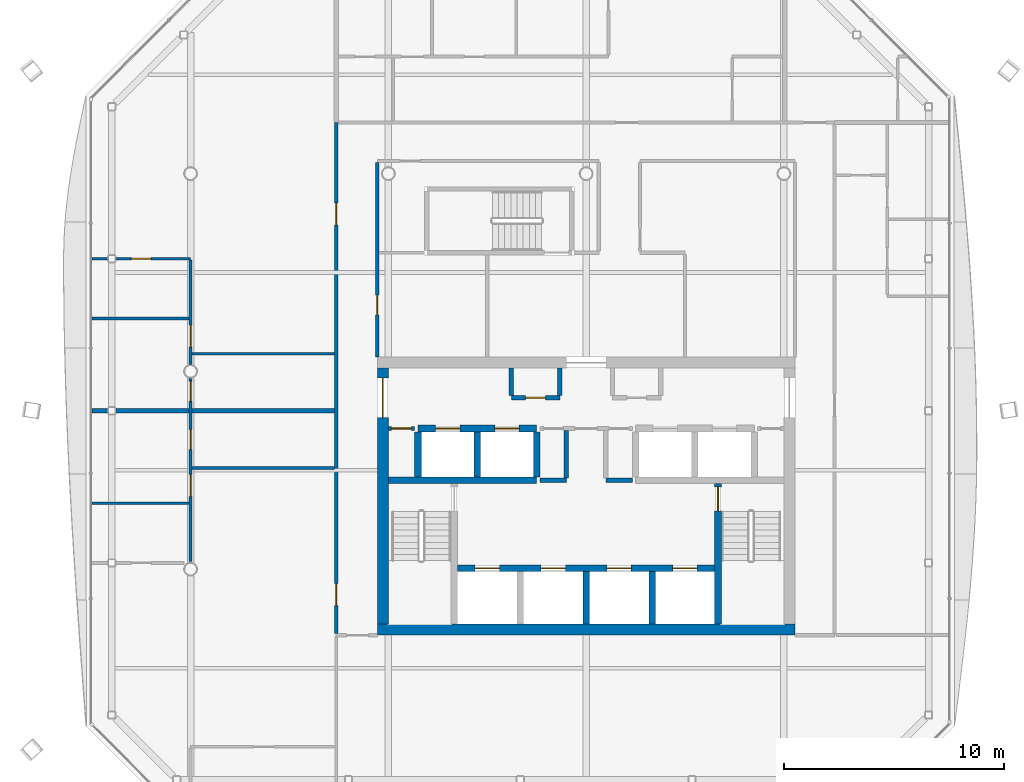
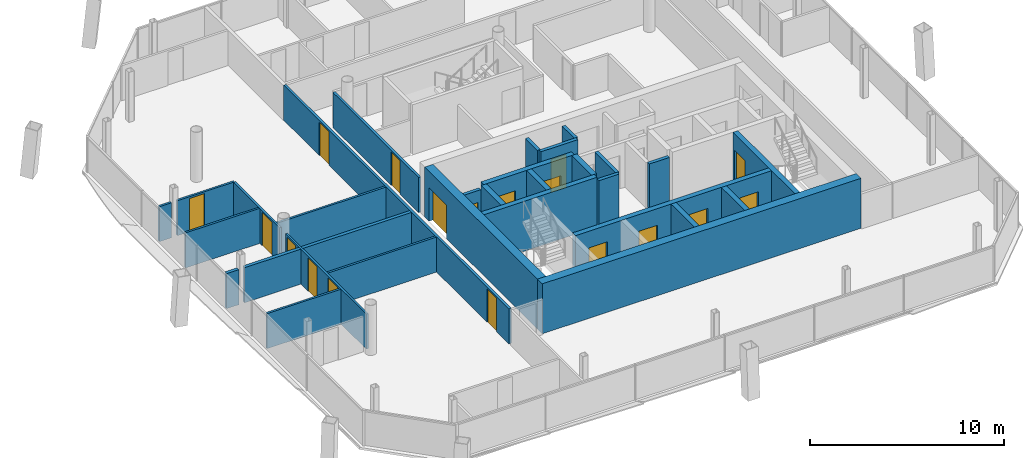
# One storey, part 12 of 19: 30 walls, 18 doors, 18 openings.
"""IFC4 building model written with IfcOpenShell, lengths in metres."""

from ifc_helpers import new_model, si_unit, direction, frame, frame_2d, origin, place, context, subcontext, project, spatial, rectangle, extrude, material, layer, layer_set, type_object, element, fill, save


model = new_model("IFC4")

# Units and contexts
model_context = context("Model", 3, precision=1e-05, world=origin(), true_north=direction((0.0, 1.0)))
body_context = subcontext(model_context, "Body", "Model", "MODEL_VIEW")
ifc_project = project(units=[si_unit("LENGTHUNIT", "METRE"), si_unit("AREAUNIT", "SQUARE_METRE"), si_unit("VOLUMEUNIT", "CUBIC_METRE"), si_unit("PLANEANGLEUNIT", "RADIAN"), si_unit("MASSUNIT", "GRAM", prefix="KILO")], contexts=[model_context])

# Site, building, storey
site_placement = place(None, origin())
site = spatial("IfcSite", under=ifc_project, at=site_placement, CompositionType="ELEMENT")
building_placement = place(site_placement, origin())
building = spatial("IfcBuilding", under=site, at=building_placement, Name="Tskaro Facet Tower", CompositionType="ELEMENT")
storey_placement = place(building_placement, frame((0.0, 0.0, 206.85009765625)))
storey = spatial("IfcBuildingStorey", under=building, at=storey_placement, Name="L53", CompositionType="ELEMENT", Elevation=206.85009765625)

# Wall, openings, doors
ifc_material_1 = material(Name="Concrete C60/75", Category="concrete")
ifc_layer_1 = layer(ifc_material_1, 0.300048828125, Name="Concrete C60/75")
ifc_layer_set_1 = layer_set([ifc_layer_1], Name="Concrete C60/75")
wall_type_1 = type_object("IfcWallType", Name="CORE-SHAFT", PredefinedType="SHEAR", material=ifc_layer_set_1)
wall_1_placement = place(storey_placement, frame((-5.85009765625, -8.949951171875, 0.0), z_axis=(0.0, 0.0, 1.0), x_axis=(1.0, 0.0, 0.0)))
wall_1 = element("IfcWall", 1, at=wall_1_placement, inside=storey, type_object=wall_type_1, Name="Shaft wall W005", PredefinedType="SHEAR", context=body_context, shape_type="SweptSolid", body=[
    extrude(rectangle(XDim=11.7001953125, YDim=0.300048828125, at=frame_2d((5.85009765625, 0.0))), origin(), (0.0, 0.0, 1.0), 3.14990234375),
])
opening_1_placement = place(wall_1_placement, frame((0.800048828125, 0.0, 0.0)))
opening_1 = element("IfcOpeningElement", 2, at=opening_1_placement, cuts=wall_1, Name="Opening LD-FF1", PredefinedType="OPENING", context=body_context, shape_type="SweptSolid", body=[
    extrude(rectangle(XDim=1.10009765625, YDim=2.10009765625, at=frame_2d((0.550048828125, 1.050048828125))), frame((0.0, 0.159912109375, 0.0), z_axis=(0.0, -1.0, 0.0), x_axis=(1.0, 0.0, 0.0)), (0.0, 0.0, 1.0), 0.320068359375),
])
opening_2_placement = place(wall_1_placement, frame((3.800048828125, 0.0, 0.0)))
opening_2 = element("IfcOpeningElement", 3, at=opening_2_placement, cuts=wall_1, Name="Opening LD-FF2", PredefinedType="OPENING", context=body_context, shape_type="SweptSolid", body=[
    extrude(rectangle(XDim=1.10009765625, YDim=2.10009765625, at=frame_2d((0.550048828125, 1.050048828125))), frame((0.0, 0.159912109375, 0.0), z_axis=(0.0, -1.0, 0.0), x_axis=(1.0, 0.0, 0.0)), (0.0, 0.0, 1.0), 0.320068359375),
])
opening_3_placement = place(wall_1_placement, frame((6.800048828125, 0.0, 0.0)))
opening_3 = element("IfcOpeningElement", 4, at=opening_3_placement, cuts=wall_1, Name="Opening LD-SV1", PredefinedType="OPENING", context=body_context, shape_type="SweptSolid", body=[
    extrude(rectangle(XDim=1.10009765625, YDim=2.10009765625, at=frame_2d((0.550048828125, 1.050048828125))), frame((0.0, 0.159912109375, 0.0), z_axis=(0.0, -1.0, 0.0), x_axis=(1.0, 0.0, 0.0)), (0.0, 0.0, 1.0), 0.320068359375),
])
opening_4_placement = place(wall_1_placement, frame((9.800048828125, 0.0, 0.0)))
opening_4 = element("IfcOpeningElement", 5, at=opening_4_placement, cuts=wall_1, Name="Opening LD-SV2", PredefinedType="OPENING", context=body_context, shape_type="SweptSolid", body=[
    extrude(rectangle(XDim=1.10009765625, YDim=2.10009765625, at=frame_2d((0.550048828125, 1.050048828125))), frame((0.0, 0.159912109375, 0.0), z_axis=(0.0, -1.0, 0.0), x_axis=(1.0, 0.0, 0.0)), (0.0, 0.0, 1.0), 0.320068359375),
])
ifc_material_2 = material(Name="Stainless steel", Category="steel")
door_type_1 = type_object("IfcDoorType", Name="D-LANDING", OperationType="NOTDEFINED", PredefinedType="DOOR", material=ifc_material_2)
door_1_placement = place(opening_1_placement, origin())
door_1 = element("IfcDoor", 6, at=door_1_placement, inside=storey, type_object=door_type_1, Name="Landing door FF1", OperationType="DOUBLE_DOOR_SLIDING", OverallHeight=2.10009765625, OverallWidth=1.10009765625, PredefinedType="DOOR", context=body_context, shape_type="SweptSolid", body=[
    extrude(rectangle(XDim=1.10009765625, YDim=2.10009765625, at=frame_2d((0.550048828125, 1.050048828125))), frame((0.0, 0.02490234375, 0.0), z_axis=(0.0, -1.0, 0.0), x_axis=(1.0, 0.0, 0.0)), (0.0, 0.0, 1.0), 0.050048828125),
])
fill(opening_1, door_1)
door_2_placement = place(opening_2_placement, origin())
door_2 = element("IfcDoor", 7, at=door_2_placement, inside=storey, type_object=door_type_1, Name="Landing door FF2", OperationType="DOUBLE_DOOR_SLIDING", OverallHeight=2.10009765625, OverallWidth=1.10009765625, PredefinedType="DOOR", context=body_context, shape_type="SweptSolid", body=[
    extrude(rectangle(XDim=1.10009765625, YDim=2.10009765625, at=frame_2d((0.550048828125, 1.050048828125))), frame((0.0, 0.02490234375, 0.0), z_axis=(0.0, -1.0, 0.0), x_axis=(1.0, 0.0, 0.0)), (0.0, 0.0, 1.0), 0.050048828125),
])
fill(opening_2, door_2)
door_3_placement = place(opening_3_placement, origin())
door_3 = element("IfcDoor", 8, at=door_3_placement, inside=storey, type_object=door_type_1, Name="Landing door SV1", OperationType="DOUBLE_DOOR_SLIDING", OverallHeight=2.10009765625, OverallWidth=1.10009765625, PredefinedType="DOOR", context=body_context, shape_type="SweptSolid", body=[
    extrude(rectangle(XDim=1.10009765625, YDim=2.10009765625, at=frame_2d((0.550048828125, 1.050048828125))), frame((0.0, 0.02490234375, 0.0), z_axis=(0.0, -1.0, 0.0), x_axis=(1.0, 0.0, 0.0)), (0.0, 0.0, 1.0), 0.050048828125),
])
fill(opening_3, door_3)
door_4_placement = place(opening_4_placement, origin())
door_4 = element("IfcDoor", 9, at=door_4_placement, inside=storey, type_object=door_type_1, Name="Landing door SV2", OperationType="DOUBLE_DOOR_SLIDING", OverallHeight=2.10009765625, OverallWidth=1.10009765625, PredefinedType="DOOR", context=body_context, shape_type="SweptSolid", body=[
    extrude(rectangle(XDim=1.10009765625, YDim=2.10009765625, at=frame_2d((0.550048828125, 1.050048828125))), frame((0.0, 0.02490234375, 0.0), z_axis=(0.0, -1.0, 0.0), x_axis=(1.0, 0.0, 0.0)), (0.0, 0.0, 1.0), 0.050048828125),
])
fill(opening_4, door_4)

# Wall
wall_2_placement = place(storey_placement, frame((-9.0, -4.949951171875, 0.0), z_axis=(0.0, 0.0, 1.0), x_axis=(1.0, 0.0, 0.0)))
element("IfcWall", 10, at=wall_2_placement, inside=storey, type_object=wall_type_1, Name="Shaft wall W009", PredefinedType="SHEAR", context=body_context, shape_type="SweptSolid", body=[
    extrude(rectangle(XDim=6.75, YDim=0.300048828125, at=frame_2d((3.375, 0.0))), origin(), (0.0, 0.0, 1.0), 3.14990234375),
])

# Wall, openings, doors
wall_3_placement = place(storey_placement, frame((-7.64990234375, -2.60009765625, 0.0), z_axis=(0.0, 0.0, 1.0), x_axis=(1.0, 0.0, 0.0)))
wall_3 = element("IfcWall", 11, at=wall_3_placement, inside=storey, type_object=wall_type_1, Name="Shaft wall W015", PredefinedType="SHEAR", context=body_context, shape_type="SweptSolid", body=[
    extrude(rectangle(XDim=5.39990234375, YDim=0.300048828125, at=frame_2d((2.699951171875, 0.0))), origin(), (0.0, 0.0, 1.0), 3.14990234375),
])
opening_5_placement = place(wall_3_placement, frame((0.800048828125, 0.0, 0.0)))
opening_5 = element("IfcOpeningElement", 12, at=opening_5_placement, cuts=wall_3, Name="Opening LD-HB1", PredefinedType="OPENING", context=body_context, shape_type="SweptSolid", body=[
    extrude(rectangle(XDim=1.10009765625, YDim=2.10009765625, at=frame_2d((0.550048828125, 1.050048828125))), frame((0.0, 0.159912109375, 0.0), z_axis=(0.0, -1.0, 0.0), x_axis=(1.0, 0.0, 0.0)), (0.0, 0.0, 1.0), 0.320068359375),
])
opening_6_placement = place(wall_3_placement, frame((3.5, 0.0, 0.0)))
opening_6 = element("IfcOpeningElement", 13, at=opening_6_placement, cuts=wall_3, Name="Opening LD-HB2", PredefinedType="OPENING", context=body_context, shape_type="SweptSolid", body=[
    extrude(rectangle(XDim=1.10009765625, YDim=2.10009765625, at=frame_2d((0.550048828125, 1.050048828125))), frame((0.0, 0.159912109375, 0.0), z_axis=(0.0, -1.0, 0.0), x_axis=(1.0, 0.0, 0.0)), (0.0, 0.0, 1.0), 0.320068359375),
])
door_5_placement = place(opening_5_placement, origin())
door_5 = element("IfcDoor", 14, at=door_5_placement, inside=storey, type_object=door_type_1, Name="Landing door HB1", OperationType="DOUBLE_DOOR_SLIDING", OverallHeight=2.10009765625, OverallWidth=1.10009765625, PredefinedType="DOOR", context=body_context, shape_type="SweptSolid", body=[
    extrude(rectangle(XDim=1.10009765625, YDim=2.10009765625, at=frame_2d((0.550048828125, 1.050048828125))), frame((0.0, 0.02490234375, 0.0), z_axis=(0.0, -1.0, 0.0), x_axis=(1.0, 0.0, 0.0)), (0.0, 0.0, 1.0), 0.050048828125),
])
fill(opening_5, door_5)
door_6_placement = place(opening_6_placement, origin())
door_6 = element("IfcDoor", 15, at=door_6_placement, inside=storey, type_object=door_type_1, Name="Landing door HB2", OperationType="DOUBLE_DOOR_SLIDING", OverallHeight=2.10009765625, OverallWidth=1.10009765625, PredefinedType="DOOR", context=body_context, shape_type="SweptSolid", body=[
    extrude(rectangle(XDim=1.10009765625, YDim=2.10009765625, at=frame_2d((0.550048828125, 1.050048828125))), frame((0.0, 0.02490234375, 0.0), z_axis=(0.0, -1.0, 0.0), x_axis=(1.0, 0.0, 0.0)), (0.0, 0.0, 1.0), 0.050048828125),
])
fill(opening_6, door_6)

# Walls
for number, where, z_axis, x_axis, name in (
    (16, (-7.64990234375, -4.800048828125, 0.0), (0.0, 0.0, 1.0), (0.0, 1.0, 0.0), "Shaft wall W051"),
    (17, (-4.949951171875, -4.800048828125, 0.0), (0.0, 0.0, 1.0), (0.0, 1.0, 0.0), "Shaft wall W056"),
    (18, (-2.25, -4.800048828125, 0.0), (0.0, 0.0, 1.0), (0.0, 1.0, 0.0), "Shaft wall W061"),
):
    element("IfcWall", number, at=place(storey_placement, frame(where, z_axis=z_axis, x_axis=x_axis)), inside=storey, type_object=wall_type_1, Name=name, PredefinedType="SHEAR", context=body_context, shape_type="SweptSolid", body=[
        extrude(rectangle(XDim=2.050048828125, YDim=0.300048828125, at=frame_2d((1.02490234375, 0.0))), origin(), (0.0, 0.0, 1.0), 3.14990234375),
    ])
for number, where, z_axis, x_axis, name in (
    (19, (0.0, -11.5, 0.0), (0.0, 0.0, 1.0), (0.0, 1.0, 0.0), "Shaft wall W065"),
    (20, (3.0, -11.5, 0.0), (0.0, 0.0, 1.0), (0.0, 1.0, 0.0), "Shaft wall W073"),
):
    element("IfcWall", number, at=place(storey_placement, frame(where, z_axis=z_axis, x_axis=x_axis)), inside=storey, type_object=wall_type_1, Name=name, PredefinedType="SHEAR", context=body_context, shape_type="SweptSolid", body=[
        extrude(rectangle(XDim=2.39990234375, YDim=0.300048828125, at=frame_2d((1.199951171875, 0.0))), origin(), (0.0, 0.0, 1.0), 3.14990234375),
    ])

# Wall, opening, door
wall_4_placement = place(storey_placement, frame((6.0, -5.10009765625, 0.0), z_axis=(0.0, 0.0, 1.0), x_axis=(0.0, -1.0, 0.0)))
wall_4 = element("IfcWall", 21, at=wall_4_placement, inside=storey, type_object=wall_type_1, Name="Shaft wall W077", PredefinedType="SHEAR", context=body_context, shape_type="SweptSolid", body=[
    extrude(rectangle(XDim=6.39990234375, YDim=0.300048828125, at=frame_2d((3.199951171875, 0.0))), origin(), (0.0, 0.0, 1.0), 3.14990234375),
])
opening_7_placement = place(wall_4_placement, frame((0.14990234375, 0.0, 0.0)))
opening_7 = element("IfcOpeningElement", 22, at=opening_7_placement, cuts=wall_4, Name="Opening ST-2-D1", PredefinedType="OPENING", context=body_context, shape_type="SweptSolid", body=[
    extrude(rectangle(XDim=1.10009765625, YDim=2.10009765625, at=frame_2d((0.550048828125, 1.050048828125))), frame((0.0, 0.159912109375, 0.0), z_axis=(0.0, -1.0, 0.0), x_axis=(1.0, 0.0, 0.0)), (0.0, 0.0, 1.0), 0.320068359375),
])
ifc_material_3 = material(Name="Steel", Category="steel")
door_type_2 = type_object("IfcDoorType", Name="D-STAIR", OperationType="NOTDEFINED", PredefinedType="DOOR", material=ifc_material_3)
door_7_placement = place(opening_7_placement, origin())
door_7 = element("IfcDoor", 23, at=door_7_placement, inside=storey, type_object=door_type_2, Name="Stair door 2", OperationType="SINGLE_SWING_RIGHT", OverallHeight=2.10009765625, OverallWidth=1.10009765625, PredefinedType="DOOR", context=body_context, shape_type="SweptSolid", body=[
    extrude(rectangle(XDim=1.10009765625, YDim=2.10009765625, at=frame_2d((0.550048828125, 1.050048828125))), frame((0.0, 0.02490234375, 0.0), z_axis=(0.0, -1.0, 0.0), x_axis=(1.0, 0.0, 0.0)), (0.0, 0.0, 1.0), 0.050048828125),
])
fill(opening_7, door_7)

# Walls
ifc_material_4 = material(Name="Concrete C20/25", Category="concrete")
ifc_layer_2 = layer(ifc_material_4, 0.199951171875, Name="Concrete C20/25")
ifc_layer_set_2 = layer_set([ifc_layer_2], Name="Concrete C20/25")
wall_type_2 = type_object("IfcWallType", Name="CORE-WALL", PredefinedType="SOLIDWALL", material=ifc_layer_set_2)
for number, where, z_axis, x_axis, name in (
    (24, (-2.10009765625, -4.949951171875, 0.0), (0.0, 0.0, 1.0), (1.0, 0.0, 0.0), "Core room wall W010"),
    (25, (0.89990234375, -4.949951171875, 0.0), (0.0, 0.0, 1.0), (1.0, 0.0, 0.0), "Core room wall W011"),
):
    element("IfcWall", number, at=place(storey_placement, frame(where, z_axis=z_axis, x_axis=x_axis)), inside=storey, type_object=wall_type_2, Name=name, PredefinedType="SOLIDWALL", context=body_context, shape_type="SweptSolid", body=[
        extrude(rectangle(XDim=1.2001953125, YDim=0.199951171875, at=frame_2d((0.60009765625, 0.0))), origin(), (0.0, 0.0, 1.0), 2.849853515625),
    ])

# Wall, opening, door
wall_5_placement = place(storey_placement, frame((-7.800048828125, -2.60009765625, 0.0), z_axis=(0.0, 0.0, 1.0), x_axis=(-1.0, 0.0, 0.0)))
wall_5 = element("IfcWall", 26, at=wall_5_placement, inside=storey, type_object=wall_type_2, Name="Core room wall W014", PredefinedType="SOLIDWALL", context=body_context, shape_type="SweptSolid", body=[
    extrude(rectangle(XDim=1.199951171875, YDim=0.199951171875, at=frame_2d((0.60009765625, 0.0))), origin(), (0.0, 0.0, 1.0), 2.849853515625),
])
opening_8_placement = place(wall_5_placement, frame((0.14990234375, 0.0, 0.0)))
opening_8 = element("IfcOpeningElement", 27, at=opening_8_placement, cuts=wall_5, Name="Opening T15-D07", PredefinedType="OPENING", context=body_context, shape_type="SweptSolid", body=[
    extrude(rectangle(XDim=0.89990234375, YDim=2.10009765625, at=frame_2d((0.449951171875, 1.050048828125))), frame((0.0, 0.10986328125, 0.0), z_axis=(0.0, -1.0, 0.0), x_axis=(1.0, 0.0, 0.0)), (0.0, 0.0, 1.0), 0.219970703125),
])
ifc_material_5 = material(Name="Timber", Category="wood")
door_type_3 = type_object("IfcDoorType", Name="D-ROOM", OperationType="NOTDEFINED", PredefinedType="DOOR", material=ifc_material_5)
door_8_placement = place(opening_8_placement, origin())
door_8 = element("IfcDoor", 28, at=door_8_placement, inside=storey, type_object=door_type_3, Name="Door T15-D07", OperationType="SINGLE_SWING_RIGHT", OverallHeight=2.10009765625, OverallWidth=0.89990234375, PredefinedType="DOOR", context=body_context, shape_type="SweptSolid", body=[
    extrude(rectangle(XDim=0.89990234375, YDim=2.10009765625, at=frame_2d((0.449951171875, 1.050048828125))), frame((0.0, 0.02490234375, 0.0), z_axis=(0.0, -1.0, 0.0), x_axis=(1.0, 0.0, 0.0)), (0.0, 0.0, 1.0), 0.050048828125),
])
fill(opening_8, door_8)

wall_6_placement = place(storey_placement, frame((-3.39990234375, -1.199951171875, 0.0), z_axis=(0.0, 0.0, 1.0), x_axis=(1.0, 0.0, 0.0)))
wall_6 = element("IfcWall", 29, at=wall_6_placement, inside=storey, type_object=wall_type_2, Name="Core room wall W021", PredefinedType="SOLIDWALL", context=body_context, shape_type="SweptSolid", body=[
    extrude(rectangle(XDim=2.199951171875, YDim=0.199951171875, at=frame_2d((1.10009765625, 0.0))), origin(), (0.0, 0.0, 1.0), 2.849853515625),
])
opening_9_placement = place(wall_6_placement, frame((0.64990234375, 0.0, 0.0)))
opening_9 = element("IfcOpeningElement", 30, at=opening_9_placement, cuts=wall_6, Name="Opening T15-D13", PredefinedType="OPENING", context=body_context, shape_type="SweptSolid", body=[
    extrude(rectangle(XDim=0.89990234375, YDim=2.10009765625, at=frame_2d((0.449951171875, 1.050048828125))), frame((0.0, 0.10986328125, 0.0), z_axis=(0.0, -1.0, 0.0), x_axis=(1.0, 0.0, 0.0)), (0.0, 0.0, 1.0), 0.219970703125),
])
door_9_placement = place(opening_9_placement, origin())
door_9 = element("IfcDoor", 31, at=door_9_placement, inside=storey, type_object=door_type_3, Name="Door T15-D13", OperationType="SINGLE_SWING_LEFT", OverallHeight=2.10009765625, OverallWidth=0.89990234375, PredefinedType="DOOR", context=body_context, shape_type="SweptSolid", body=[
    extrude(rectangle(XDim=0.89990234375, YDim=2.10009765625, at=frame_2d((0.449951171875, 1.050048828125))), frame((0.0, 0.02490234375, 0.0), z_axis=(0.0, -1.0, 0.0), x_axis=(1.0, 0.0, 0.0)), (0.0, 0.0, 1.0), 0.050048828125),
])
fill(opening_9, door_9)

# Walls
for number, where, z_axis, x_axis, name in (
    (32, (-3.39990234375, -1.10009765625, 0.0), (0.0, 0.0, 1.0), (0.0, 1.0, 0.0), "Core room wall W058"),
    (33, (-1.199951171875, -1.10009765625, 0.0), (0.0, 0.0, 1.0), (0.0, 1.0, 0.0), "Core room wall W062"),
):
    element("IfcWall", number, at=place(storey_placement, frame(where, z_axis=z_axis, x_axis=x_axis)), inside=storey, type_object=wall_type_2, Name=name, PredefinedType="SOLIDWALL", context=body_context, shape_type="SweptSolid", body=[
        extrude(rectangle(XDim=1.25, YDim=0.199951171875, at=frame_2d((0.625, 0.0))), origin(), (0.0, 0.0, 1.0), 2.849853515625),
    ])
wall_7_placement = place(storey_placement, frame((-0.89990234375, -4.85009765625, 0.0), z_axis=(0.0, 0.0, 1.0), x_axis=(0.0, 1.0, 0.0)))
element("IfcWall", 34, at=wall_7_placement, inside=storey, type_object=wall_type_2, Name="Core room wall W063", PredefinedType="SOLIDWALL", context=body_context, shape_type="SweptSolid", body=[
    extrude(rectangle(XDim=2.150146484375, YDim=0.199951171875, at=frame_2d((1.0751953125, 0.0))), origin(), (0.0, 0.0, 1.0), 2.849853515625),
])
ifc_material_6 = material(Name="Concrete C40/50", Category="concrete")
ifc_layer_3 = layer(ifc_material_6, 0.5, Name="Concrete C40/50")
ifc_layer_set_3 = layer_set([ifc_layer_3], Name="Concrete C40/50")
wall_type_3 = type_object("IfcWallType", Name="Core wall 500", PredefinedType="SHEAR", material=ifc_layer_set_3)
wall_8_placement = place(storey_placement, frame((-9.5, -11.75, 0.0), z_axis=(0.0, 0.0, 1.0), x_axis=(1.0, 0.0, 0.0)))
element("IfcWall", 35, at=wall_8_placement, inside=storey, type_object=wall_type_3, Name="Core wall CW-Z3S", PredefinedType="SHEAR", context=body_context, shape_type="SweptSolid", body=[
    extrude(rectangle(XDim=19.0, YDim=0.5, at=frame_2d((9.5, 0.0))), origin(), (0.0, 0.0, 1.0), 3.14990234375),
])

# Wall, opening, door
wall_9_placement = place(storey_placement, frame((-9.25, -11.5, 0.0), z_axis=(0.0, 0.0, 1.0), x_axis=(0.0, 1.0, 0.0)))
wall_9 = element("IfcWall", 36, at=wall_9_placement, inside=storey, type_object=wall_type_3, Name="Core wall CW-Z3W", PredefinedType="SHEAR", context=body_context, shape_type="SweptSolid", body=[
    extrude(rectangle(XDim=11.64990234375, YDim=0.5, at=frame_2d((5.824951171875, 0.0))), origin(), (0.0, 0.0, 1.0), 3.14990234375),
])
opening_10_placement = place(wall_9_placement, frame((9.39990234375, 0.0, 0.0)))
opening_10 = element("IfcOpeningElement", 37, at=opening_10_placement, cuts=wall_9, Name="Opening T15-D12", PredefinedType="OPENING", context=body_context, shape_type="SweptSolid", body=[
    extrude(rectangle(XDim=1.800048828125, YDim=2.10009765625, at=frame_2d((0.89990234375, 1.050048828125))), frame((0.0, 0.260009765625, 0.0), z_axis=(0.0, -1.0, 0.0), x_axis=(1.0, 0.0, 0.0)), (0.0, 0.0, 1.0), 0.52001953125),
])
door_type_4 = type_object("IfcDoorType", Name="D-CORE-PAIR", OperationType="NOTDEFINED", PredefinedType="DOOR", material=ifc_material_3)
door_10_placement = place(opening_10_placement, origin())
door_10 = element("IfcDoor", 38, at=door_10_placement, inside=storey, type_object=door_type_4, Name="Door T15-D12", OperationType="DOUBLE_DOOR_SINGLE_SWING", OverallHeight=2.10009765625, OverallWidth=1.800048828125, PredefinedType="DOOR", context=body_context, shape_type="SweptSolid", body=[
    extrude(rectangle(XDim=1.800048828125, YDim=2.10009765625, at=frame_2d((0.89990234375, 1.050048828125))), frame((0.0, 0.02490234375, 0.0), z_axis=(0.0, -1.0, 0.0), x_axis=(1.0, 0.0, 0.0)), (0.0, 0.0, 1.0), 0.050048828125),
])
fill(opening_10, door_10)

# Walls
ifc_material_7 = material(Name="Gypsum board on steel studs", Category="steel")
ifc_layer_4 = layer(ifc_material_7, 0.125, Name="Gypsum board on steel studs")
ifc_layer_set_4 = layer_set([ifc_layer_4], Name="Gypsum board on steel studs")
wall_type_4 = type_object("IfcWallType", Name="PART", PredefinedType="PARTITIONING", material=ifc_layer_set_4)
wall_10_placement = place(storey_placement, frame((-22.48291015625, -5.9951171875, 0.0), z_axis=(0.0, 0.0, 1.0), x_axis=(1.0, 0.0, 0.0)))
element("IfcWall", 39, at=wall_10_placement, inside=storey, type_object=wall_type_4, Name="Partition W008", PredefinedType="PARTITIONING", context=body_context, shape_type="SweptSolid", body=[
    extrude(rectangle(XDim=4.42041015625, YDim=0.125, at=frame_2d((2.210205078125, 0.0))), origin(), (0.0, 0.0, 1.0), 2.2099609375),
])
for number, where, z_axis, x_axis, name in (
    (40, (-17.9375, -4.39501953125, 0.0), (0.0, 0.0, 1.0), (1.0, 0.0, 0.0), "Partition W013"),
    (41, (-17.9375, 0.804931640625, 0.0), (0.0, 0.0, 1.0), (1.0, 0.0, 0.0), "Partition W023"),
):
    element("IfcWall", number, at=place(storey_placement, frame(where, z_axis=z_axis, x_axis=x_axis)), inside=storey, type_object=wall_type_4, Name=name, PredefinedType="PARTITIONING", context=body_context, shape_type="SweptSolid", body=[
        extrude(rectangle(XDim=6.487548828125, YDim=0.125, at=frame_2d((3.24365234375, 0.0))), origin(), (0.0, 0.0, 1.0), 2.2099609375),
    ])
wall_11_placement = place(storey_placement, frame((-22.48291015625, 2.405029296875, 0.0), z_axis=(0.0, 0.0, 1.0), x_axis=(1.0, 0.0, 0.0)))
element("IfcWall", 42, at=wall_11_placement, inside=storey, type_object=wall_type_4, Name="Partition W024", PredefinedType="PARTITIONING", context=body_context, shape_type="SweptSolid", body=[
    extrude(rectangle(XDim=4.42041015625, YDim=0.125, at=frame_2d((2.210205078125, 0.0))), origin(), (0.0, 0.0, 1.0), 2.2099609375),
])
wall_12_placement = place(storey_placement, frame((-22.48291015625, 5.125, 0.0), z_axis=(0.0, 0.0, 1.0), x_axis=(1.0, 0.0, 0.0)))
element("IfcWall", 43, at=wall_12_placement, inside=storey, type_object=wall_type_4, Name="Partition W026", PredefinedType="PARTITIONING", context=body_context, shape_type="SweptSolid", body=[
    extrude(rectangle(XDim=0.724853515625, YDim=0.125, at=frame_2d((0.3623046875, 0.0))), origin(), (0.0, 0.0, 1.0), 2.2099609375),
])

# Wall, opening, door
wall_13_placement = place(storey_placement, frame((-18.0, 5.125, 0.0), z_axis=(0.0, 0.0, 1.0), x_axis=(-1.0, 0.0, 0.0)))
wall_13 = element("IfcWall", 44, at=wall_13_placement, inside=storey, type_object=wall_type_4, Name="Partition W027", PredefinedType="PARTITIONING", context=body_context, shape_type="SweptSolid", body=[
    extrude(rectangle(XDim=3.407958984375, YDim=0.125, at=frame_2d((1.7041015625, 0.0))), origin(), (0.0, 0.0, 1.0), 2.2099609375),
])
opening_11_placement = place(wall_13_placement, frame((1.79150390625, 0.0, 0.0)))
opening_11 = element("IfcOpeningElement", 45, at=opening_11_placement, cuts=wall_13, Name="Opening T15-D20", PredefinedType="OPENING", context=body_context, shape_type="SweptSolid", body=[
    extrude(rectangle(XDim=0.89990234375, YDim=2.10009765625, at=frame_2d((0.449951171875, 1.050048828125))), frame((0.0, 0.072509765625, 0.0), z_axis=(0.0, -1.0, 0.0), x_axis=(1.0, 0.0, 0.0)), (0.0, 0.0, 1.0), 0.14501953125),
])
door_11_placement = place(opening_11_placement, origin())
door_11 = element("IfcDoor", 46, at=door_11_placement, inside=storey, type_object=door_type_3, Name="Door T15-D20", OperationType="SINGLE_SWING_RIGHT", OverallHeight=2.10009765625, OverallWidth=0.89990234375, PredefinedType="DOOR", context=body_context, shape_type="SweptSolid", body=[
    extrude(rectangle(XDim=0.89990234375, YDim=2.10009765625, at=frame_2d((0.449951171875, 1.050048828125))), frame((0.0, 0.02490234375, 0.0), z_axis=(0.0, -1.0, 0.0), x_axis=(1.0, 0.0, 0.0)), (0.0, 0.0, 1.0), 0.050048828125),
])
fill(opening_11, door_11)

# Wall, openings, doors
wall_14_placement = place(storey_placement, frame((-18.0, -8.652587890625, 0.0), z_axis=(0.0, 0.0, 1.0), x_axis=(0.0, 1.0, 0.0)))
wall_14 = element("IfcWall", 47, at=wall_14_placement, inside=storey, type_object=wall_type_4, Name="Partition W044", PredefinedType="PARTITIONING", context=body_context, shape_type="SweptSolid", body=[
    extrude(rectangle(XDim=8.34765625, YDim=0.125, at=frame_2d((4.173828125, 0.0))), origin(), (0.0, 0.0, 1.0), 2.2099609375),
])
opening_12_placement = place(wall_14_placement, frame((2.95751953125, 0.0, 0.0)))
opening_12 = element("IfcOpeningElement", 48, at=opening_12_placement, cuts=wall_14, Name="Opening T15-D05", PredefinedType="OPENING", context=body_context, shape_type="SweptSolid", body=[
    extrude(rectangle(XDim=1.0, YDim=2.10009765625, at=frame_2d((0.5, 1.050048828125))), frame((0.0, 0.072509765625, 0.0), z_axis=(0.0, -1.0, 0.0), x_axis=(1.0, 0.0, 0.0)), (0.0, 0.0, 1.0), 0.14501953125),
])
opening_13_placement = place(wall_14_placement, frame((5.107421875, 0.0, 0.0)))
opening_13 = element("IfcOpeningElement", 49, at=opening_13_placement, cuts=wall_14, Name="Opening T15-D06", PredefinedType="OPENING", context=body_context, shape_type="SweptSolid", body=[
    extrude(rectangle(XDim=0.89990234375, YDim=2.10009765625, at=frame_2d((0.449951171875, 1.050048828125))), frame((0.0, 0.072509765625, 0.0), z_axis=(0.0, -1.0, 0.0), x_axis=(1.0, 0.0, 0.0)), (0.0, 0.0, 1.0), 0.14501953125),
])
opening_14_placement = place(wall_14_placement, frame((7.297607421875, 0.0, 0.0)))
opening_14 = element("IfcOpeningElement", 50, at=opening_14_placement, cuts=wall_14, Name="Opening T15-D16", PredefinedType="OPENING", context=body_context, shape_type="SweptSolid", body=[
    extrude(rectangle(XDim=0.89990234375, YDim=2.10009765625, at=frame_2d((0.449951171875, 1.050048828125))), frame((0.0, 0.072509765625, 0.0), z_axis=(0.0, -1.0, 0.0), x_axis=(1.0, 0.0, 0.0)), (0.0, 0.0, 1.0), 0.14501953125),
])
door_12_placement = place(opening_13_placement, origin())
door_12 = element("IfcDoor", 51, at=door_12_placement, inside=storey, type_object=door_type_3, Name="Door T15-D06", OperationType="SINGLE_SWING_LEFT", OverallHeight=2.10009765625, OverallWidth=0.89990234375, PredefinedType="DOOR", context=body_context, shape_type="SweptSolid", body=[
    extrude(rectangle(XDim=0.89990234375, YDim=2.10009765625, at=frame_2d((0.449951171875, 1.050048828125))), frame((0.0, 0.02490234375, 0.0), z_axis=(0.0, -1.0, 0.0), x_axis=(1.0, 0.0, 0.0)), (0.0, 0.0, 1.0), 0.050048828125),
])
fill(opening_13, door_12)
door_13_placement = place(opening_14_placement, origin())
door_13 = element("IfcDoor", 52, at=door_13_placement, inside=storey, type_object=door_type_3, Name="Door T15-D16", OperationType="SINGLE_SWING_LEFT", OverallHeight=2.10009765625, OverallWidth=0.89990234375, PredefinedType="DOOR", context=body_context, shape_type="SweptSolid", body=[
    extrude(rectangle(XDim=0.89990234375, YDim=2.10009765625, at=frame_2d((0.449951171875, 1.050048828125))), frame((0.0, 0.02490234375, 0.0), z_axis=(0.0, -1.0, 0.0), x_axis=(1.0, 0.0, 0.0)), (0.0, 0.0, 1.0), 0.050048828125),
])
fill(opening_14, door_13)
door_type_5 = type_object("IfcDoorType", Name="D-ROOM-WIDE", OperationType="NOTDEFINED", PredefinedType="DOOR", material=ifc_material_5)
door_14_placement = place(opening_12_placement, origin())
door_14 = element("IfcDoor", 53, at=door_14_placement, inside=storey, type_object=door_type_5, Name="Door T15-D05", OperationType="SINGLE_SWING_LEFT", OverallHeight=2.10009765625, OverallWidth=1.0, PredefinedType="DOOR", context=body_context, shape_type="SweptSolid", body=[
    extrude(rectangle(XDim=1.0, YDim=2.10009765625, at=frame_2d((0.5, 1.050048828125))), frame((0.0, 0.02490234375, 0.0), z_axis=(0.0, -1.0, 0.0), x_axis=(1.0, 0.0, 0.0)), (0.0, 0.0, 1.0), 0.050048828125),
])
fill(opening_12, door_14)

# Wall, opening, door
wall_15_placement = place(storey_placement, frame((-18.0, 0.304931640625, 0.0), z_axis=(0.0, 0.0, 1.0), x_axis=(0.0, 1.0, 0.0)))
wall_15 = element("IfcWall", 54, at=wall_15_placement, inside=storey, type_object=wall_type_4, Name="Partition W045", PredefinedType="PARTITIONING", context=body_context, shape_type="SweptSolid", body=[
    extrude(rectangle(XDim=4.757568359375, YDim=0.125, at=frame_2d((2.37890625, 0.0))), origin(), (0.0, 0.0, 1.0), 2.2099609375),
])
opening_15_placement = place(wall_15_placement, frame((0.800048828125, 0.0, 0.0)))
opening_15 = element("IfcOpeningElement", 55, at=opening_15_placement, cuts=wall_15, Name="Opening T15-D18", PredefinedType="OPENING", context=body_context, shape_type="SweptSolid", body=[
    extrude(rectangle(XDim=1.0, YDim=2.10009765625, at=frame_2d((0.5, 1.050048828125))), frame((0.0, 0.072509765625, 0.0), z_axis=(0.0, -1.0, 0.0), x_axis=(1.0, 0.0, 0.0)), (0.0, 0.0, 1.0), 0.14501953125),
])
door_15_placement = place(opening_15_placement, origin())
door_15 = element("IfcDoor", 56, at=door_15_placement, inside=storey, type_object=door_type_5, Name="Door T15-D18", OperationType="SINGLE_SWING_RIGHT", OverallHeight=2.10009765625, OverallWidth=1.0, PredefinedType="DOOR", context=body_context, shape_type="SweptSolid", body=[
    extrude(rectangle(XDim=1.0, YDim=2.10009765625, at=frame_2d((0.5, 1.050048828125))), frame((0.0, 0.02490234375, 0.0), z_axis=(0.0, -1.0, 0.0), x_axis=(1.0, 0.0, 0.0)), (0.0, 0.0, 1.0), 0.050048828125),
])
fill(opening_15, door_15)

# Wall, openings, doors
ifc_layer_5 = layer(ifc_material_7, 0.14990234375, Name="Gypsum board on steel studs")
ifc_layer_set_5 = layer_set([ifc_layer_5], Name="Gypsum board on steel studs")
wall_type_5 = type_object("IfcWallType", Name="PART-CORR", PredefinedType="PARTITIONING", material=ifc_layer_set_5)
wall_16_placement = place(storey_placement, frame((-11.375, -11.925048828125, 0.0), z_axis=(0.0, 0.0, 1.0), x_axis=(0.0, 1.0, 0.0)))
wall_16 = element("IfcWall", 57, at=wall_16_placement, inside=storey, type_object=wall_type_5, Name="Corridor wall W047", PredefinedType="PARTITIONING", context=body_context, shape_type="SweptSolid", body=[
    extrude(rectangle(XDim=23.25, YDim=0.14990234375, at=frame_2d((11.625, 0.0))), origin(), (0.0, 0.0, 1.0), 2.2099609375),
])
opening_16_placement = place(wall_16_placement, frame((1.262451171875, 0.0, 0.0)))
opening_16 = element("IfcOpeningElement", 58, at=opening_16_placement, cuts=wall_16, Name="Opening T15-D03", PredefinedType="OPENING", context=body_context, shape_type="SweptSolid", body=[
    extrude(rectangle(XDim=1.0, YDim=2.10009765625, at=frame_2d((0.5, 1.050048828125))), frame((0.0, 0.0849609375, 0.0), z_axis=(0.0, -1.0, 0.0), x_axis=(1.0, 0.0, 0.0)), (0.0, 0.0, 1.0), 0.169921875),
])
opening_17_placement = place(wall_16_placement, frame((18.58251953125, 0.0, 0.0)))
opening_17 = element("IfcOpeningElement", 59, at=opening_17_placement, cuts=wall_16, Name="Opening T15-D23", PredefinedType="OPENING", context=body_context, shape_type="SweptSolid", body=[
    extrude(rectangle(XDim=1.0, YDim=2.10009765625, at=frame_2d((0.5, 1.050048828125))), frame((0.0, 0.0849609375, 0.0), z_axis=(0.0, -1.0, 0.0), x_axis=(1.0, 0.0, 0.0)), (0.0, 0.0, 1.0), 0.169921875),
])
door_type_6 = type_object("IfcDoorType", Name="D-FLAT-ENTRY", OperationType="NOTDEFINED", PredefinedType="DOOR", material=ifc_material_5)
door_16_placement = place(opening_16_placement, origin())
door_16 = element("IfcDoor", 60, at=door_16_placement, inside=storey, type_object=door_type_6, Name="Door T15-D03", OperationType="SINGLE_SWING_LEFT", OverallHeight=2.10009765625, OverallWidth=1.0, PredefinedType="DOOR", context=body_context, shape_type="SweptSolid", body=[
    extrude(rectangle(XDim=1.0, YDim=2.10009765625, at=frame_2d((0.5, 1.050048828125))), frame((0.0, 0.02490234375, 0.0), z_axis=(0.0, -1.0, 0.0), x_axis=(1.0, 0.0, 0.0)), (0.0, 0.0, 1.0), 0.050048828125),
])
fill(opening_16, door_16)
door_17_placement = place(opening_17_placement, origin())
door_17 = element("IfcDoor", 61, at=door_17_placement, inside=storey, type_object=door_type_6, Name="Door T15-D23", OperationType="SINGLE_SWING_LEFT", OverallHeight=2.10009765625, OverallWidth=1.0, PredefinedType="DOOR", context=body_context, shape_type="SweptSolid", body=[
    extrude(rectangle(XDim=1.0, YDim=2.10009765625, at=frame_2d((0.5, 1.050048828125))), frame((0.0, 0.02490234375, 0.0), z_axis=(0.0, -1.0, 0.0), x_axis=(1.0, 0.0, 0.0)), (0.0, 0.0, 1.0), 0.050048828125),
])
fill(opening_17, door_17)

# Wall, opening, door
wall_17_placement = place(storey_placement, frame((-9.5, 9.5, 0.0), z_axis=(0.0, 0.0, 1.0), x_axis=(0.0, -1.0, 0.0)))
wall_17 = element("IfcWall", 62, at=wall_17_placement, inside=storey, type_object=wall_type_5, Name="Corridor wall W049", PredefinedType="PARTITIONING", context=body_context, shape_type="SweptSolid", body=[
    extrude(rectangle(XDim=8.85009765625, YDim=0.14990234375, at=frame_2d((4.425048828125, 0.0))), origin(), (0.0, 0.0, 1.0), 2.2099609375),
])
opening_18_placement = place(wall_17_placement, frame((6.02490234375, 0.0, 0.0)))
opening_18 = element("IfcOpeningElement", 63, at=opening_18_placement, cuts=wall_17, Name="Opening T15-D19", PredefinedType="OPENING", context=body_context, shape_type="SweptSolid", body=[
    extrude(rectangle(XDim=0.89990234375, YDim=2.10009765625, at=frame_2d((0.449951171875, 1.050048828125))), frame((0.0, 0.0849609375, 0.0), z_axis=(0.0, -1.0, 0.0), x_axis=(1.0, 0.0, 0.0)), (0.0, 0.0, 1.0), 0.169921875),
])
door_18_placement = place(opening_18_placement, origin())
door_18 = element("IfcDoor", 64, at=door_18_placement, inside=storey, type_object=door_type_3, Name="Door T15-D19", OperationType="SINGLE_SWING_RIGHT", OverallHeight=2.10009765625, OverallWidth=0.89990234375, PredefinedType="DOOR", context=body_context, shape_type="SweptSolid", body=[
    extrude(rectangle(XDim=0.89990234375, YDim=2.10009765625, at=frame_2d((0.449951171875, 1.050048828125))), frame((0.0, 0.02490234375, 0.0), z_axis=(0.0, -1.0, 0.0), x_axis=(1.0, 0.0, 0.0)), (0.0, 0.0, 1.0), 0.050048828125),
])
fill(opening_18, door_18)

# Walls
ifc_layer_6 = layer(ifc_material_7, 0.199951171875, Name="Gypsum board on steel studs")
ifc_layer_set_6 = layer_set([ifc_layer_6], Name="Gypsum board on steel studs")
wall_type_6 = type_object("IfcWallType", Name="PART-DEMISING", PredefinedType="PARTITIONING", material=ifc_layer_set_6)
wall_18_placement = place(storey_placement, frame((-22.48291015625, -1.794921875, 0.0), z_axis=(0.0, 0.0, 1.0), x_axis=(1.0, 0.0, 0.0)))
element("IfcWall", 65, at=wall_18_placement, inside=storey, type_object=wall_type_6, Name="Guest room wall W019", PredefinedType="PARTITIONING", context=body_context, shape_type="SweptSolid", body=[
    extrude(rectangle(XDim=0.724853515625, YDim=0.199951171875, at=frame_2d((0.3623046875, 0.0))), origin(), (0.0, 0.0, 1.0), 2.2099609375),
])
wall_19_placement = place(storey_placement, frame((-21.407958984375, -1.794921875, 0.0), z_axis=(0.0, 0.0, 1.0), x_axis=(1.0, 0.0, 0.0)))
element("IfcWall", 66, at=wall_19_placement, inside=storey, type_object=wall_type_6, Name="Guest room wall W020", PredefinedType="PARTITIONING", context=body_context, shape_type="SweptSolid", body=[
    extrude(rectangle(XDim=9.9580078125, YDim=0.199951171875, at=frame_2d((4.97900390625, 0.0))), origin(), (0.0, 0.0, 1.0), 2.2099609375),
])

save(model, "model.ifc")
